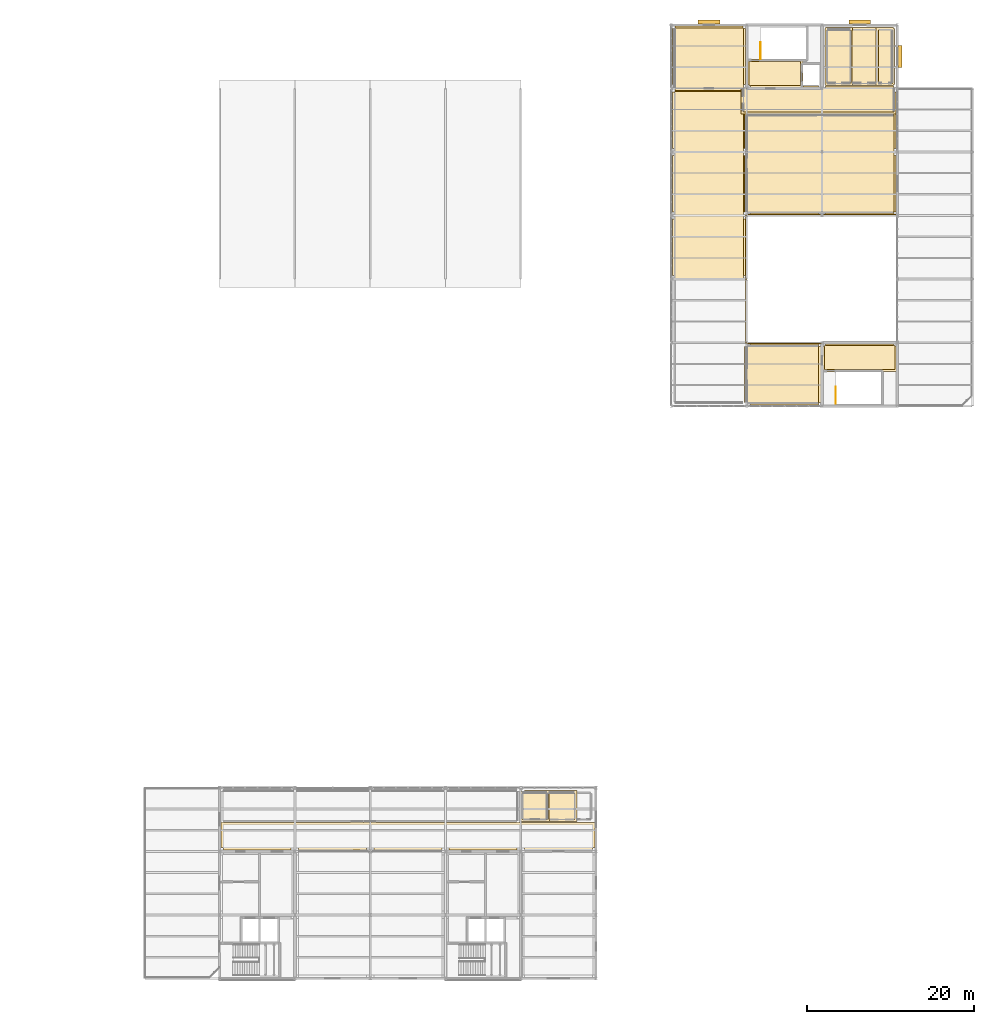
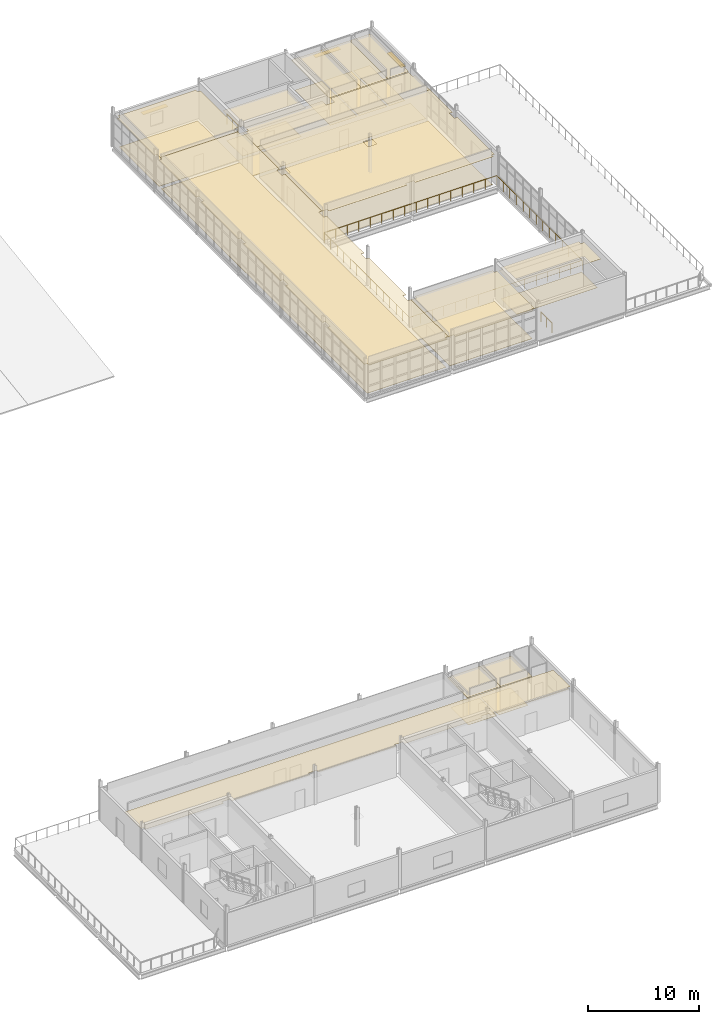
# One storey, part 47 of 48: 25 coverings, 3 railings, 3 shading devices.
"""IFC4 building model written with IfcOpenShell, lengths in metres."""

from ifc_helpers import new_model, si_unit, direction, frame, origin, origin_2d, place, context, subcontext, project, spatial, polyline, rectangle, circle, outline, extrude, material, layer, layer_set, type_object, element, save


model = new_model("IFC4")

# Units and contexts
model_context = context("Model", 3, precision=1e-05, world=origin(), true_north=direction((0.0, 1.0)))
body_context = subcontext(model_context, "Body", "Model", "MODEL_VIEW")
ifc_project = project(units=[si_unit("LENGTHUNIT", "METRE"), si_unit("AREAUNIT", "SQUARE_METRE"), si_unit("VOLUMEUNIT", "CUBIC_METRE"), si_unit("PLANEANGLEUNIT", "RADIAN"), si_unit("MASSUNIT", "GRAM", prefix="KILO")], contexts=[model_context])

# Site, building, storey
site_placement = place(None, origin())
site = spatial("IfcSite", under=ifc_project, at=site_placement, CompositionType="ELEMENT")
building_placement = place(site_placement, origin())
building = spatial("IfcBuilding", under=site, at=building_placement, Name="Caisbarro Railhouse Central Library", CompositionType="ELEMENT")
storey_placement = place(building_placement, frame((0.0, 0.0, 18.0)))
storey = spatial("IfcBuildingStorey", under=building, at=storey_placement, Name="L04", CompositionType="ELEMENT", Elevation=18.0)

# Coverings
ifc_material_1 = material(Name="Perforated mineral-fibre acoustic ceiling tile")
ifc_layer_1 = layer(ifc_material_1, 0.01806640625, Name="Perforated mineral-fibre acoustic ceiling tile")
ifc_layer_set_1 = layer_set([ifc_layer_1], Name="Perforated mineral-fibre acoustic ceiling tile")
covering_type_1 = type_object("IfcCoveringType", Name="COV-CL01", PredefinedType="CEILING", material=ifc_layer_set_1)
covering_1_placement = place(storey_placement, frame((0.0, 0.0, 3.25)))
element("IfcCovering", 1, at=covering_1_placement, inside=storey, type_object=covering_type_1, Name="CL01 acoustic ceiling Lift Lobby K3", PredefinedType="CEILING", context=body_context, shape_type="SweptSolid", body=[
    extrude(outline(polyline([(126.0400390625, 109.860107421875), (132.7099609375, 109.860107421875), (132.7099609375, 106.489990234375), (126.43994140625, 106.489990234375), (126.43994140625, 106.840087890625), (126.0400390625, 106.840087890625), (126.0400390625, 109.860107421875)])), origin(), (0.0, 0.0, 1.0), 0.01806640625),
])
covering_2_placement = place(storey_placement, frame((0.0, 0.0, 3.25)))
element("IfcCovering", 2, at=covering_2_placement, inside=storey, type_object=covering_type_1, Name="CL01 acoustic ceiling Stair Lobby K7", PredefinedType="CEILING", context=body_context, shape_type="SweptSolid", body=[
    extrude(outline(polyline([(135.43994140625, 75.56005859375), (135.43994140625, 75.909912109375), (143.56005859375, 75.909912109375), (143.56005859375, 75.56005859375), (143.9599609375, 75.56005859375), (143.9599609375, 72.5400390625), (135.0400390625, 72.5400390625), (135.0400390625, 75.56005859375), (135.43994140625, 75.56005859375)])), origin(), (0.0, 0.0, 1.0), 0.01806640625),
])
covering_3_placement = place(storey_placement, frame((0.0, 0.0, 3.25)))
element("IfcCovering", 3, at=covering_3_placement, inside=storey, type_object=covering_type_1, Name="CL01 acoustic ceiling Compact Archive Corridor L04", PredefinedType="CEILING", context=body_context, shape_type="SweptSolid", body=[
    extrude(outline(polyline([(89.56005859375, 15.639892578125), (89.56005859375, 15.340087890625), (81.43994140625, 15.340087890625), (81.43994140625, 15.639892578125), (80.56005859375, 15.639892578125), (80.56005859375, 15.340087890625), (72.43994140625, 15.340087890625), (72.43994140625, 15.639892578125), (71.56005859375, 15.639892578125), (71.56005859375, 15.340087890625), (63.43994140625, 15.340087890625), (63.43994140625, 15.639892578125), (63.139892578125, 15.639892578125), (63.139892578125, 18.659912109375), (107.860107421875, 18.659912109375), (107.860107421875, 15.639892578125), (107.56005859375, 15.639892578125), (107.56005859375, 15.340087890625), (99.43994140625, 15.340087890625), (99.43994140625, 15.639892578125), (98.56005859375, 15.639892578125), (98.56005859375, 15.340087890625), (90.43994140625, 15.340087890625), (90.43994140625, 15.639892578125), (89.56005859375, 15.639892578125)])), origin(), (0.0, 0.0, 1.0), 0.01806640625),
])
covering_4_placement = place(storey_placement, frame((0.0, 0.0, 3.25)))
element("IfcCovering", 4, at=covering_4_placement, inside=storey, type_object=covering_type_1, Name="CL01 acoustic ceiling Male WC L04-V5", PredefinedType="CEILING", context=body_context, shape_type="SweptSolid", body=[
    extrude(outline(polyline([(98.93994140625, 22.360107421875), (99.43994140625, 22.360107421875), (99.43994140625, 22.4599609375), (102.427978515625, 22.4599609375), (102.427978515625, 18.739990234375), (98.93994140625, 18.739990234375), (98.93994140625, 22.360107421875)])), origin(), (0.0, 0.0, 1.0), 0.01806640625),
])
covering_5_placement = place(storey_placement, frame((0.0, 0.0, 3.25)))
element("IfcCovering", 5, at=covering_5_placement, inside=storey, type_object=covering_type_1, Name="CL01 acoustic ceiling Female WC L04-V5", PredefinedType="CEILING", context=body_context, shape_type="SweptSolid", body=[
    extrude(outline(polyline([(102.10791015625, 18.739990234375), (102.10791015625, 22.4599609375), (105.696044921875, 22.4599609375), (105.696044921875, 18.739990234375), (102.10791015625, 18.739990234375)])), origin(), (0.0, 0.0, 1.0), 0.01806640625),
])
covering_6_placement = place(storey_placement, frame((0.0, 0.0, 3.25)))
element("IfcCovering", 6, at=covering_6_placement, inside=storey, type_object=covering_type_1, Name="CL01 acoustic ceiling Northeast Brazil Map and Prints Room", PredefinedType="CEILING", context=body_context, shape_type="SweptSolid", body=[
    extrude(outline(polyline([(134.56005859375, 91.639892578125), (134.56005859375, 91.340087890625), (126.43994140625, 91.340087890625), (126.43994140625, 91.639892578125), (125.739990234375, 91.639892578125), (125.739990234375, 98.360107421875), (126.43994140625, 98.360107421875), (126.43994140625, 99.239990234375), (125.739990234375, 99.239990234375), (125.739990234375, 103.4599609375), (143.860107421875, 103.4599609375), (143.860107421875, 99.239990234375), (143.56005859375, 99.239990234375), (143.56005859375, 98.360107421875), (143.860107421875, 98.360107421875), (143.860107421875, 91.639892578125), (143.56005859375, 91.639892578125), (143.56005859375, 91.340087890625), (135.43994140625, 91.340087890625), (135.43994140625, 91.639892578125), (134.56005859375, 91.639892578125)]), holes=[polyline([(134.56005859375, 98.360107421875), (135.43994140625, 98.360107421875), (135.43994140625, 99.239990234375), (134.56005859375, 99.239990234375), (134.56005859375, 98.360107421875)])]), origin(), (0.0, 0.0, 1.0), 0.01806640625),
])
covering_7_placement = place(storey_placement, frame((0.0, 0.0, 3.25)))
element("IfcCovering", 7, at=covering_7_placement, inside=storey, type_object=covering_type_1, Name="CL01 acoustic ceiling Atrium South Corridor L04", PredefinedType="CEILING", context=body_context, shape_type="SweptSolid", body=[
    extrude(outline(polyline([(134.56005859375, 68.840087890625), (134.56005859375, 68.5400390625), (126.43994140625, 68.5400390625), (126.43994140625, 68.840087890625), (125.739990234375, 68.840087890625), (125.739990234375, 75.56005859375), (126.43994140625, 75.56005859375), (126.43994140625, 75.860107421875), (134.56005859375, 75.860107421875), (134.56005859375, 75.56005859375), (134.860107421875, 75.56005859375), (134.860107421875, 68.840087890625), (134.56005859375, 68.840087890625)])), origin(), (0.0, 0.0, 1.0), 0.01806640625),
])
covering_8_placement = place(storey_placement, frame((0.0, 0.0, 3.25)))
element("IfcCovering", 8, at=covering_8_placement, inside=storey, type_object=covering_type_1, Name="CL01 acoustic ceiling Library Administration Office", PredefinedType="CEILING", context=body_context, shape_type="SweptSolid", body=[
    extrude(outline(polyline([(125.56005859375, 106.840087890625), (125.56005859375, 106.139892578125), (117.43994140625, 106.139892578125), (117.43994140625, 106.840087890625), (117.139892578125, 106.840087890625), (117.139892578125, 113.56005859375), (117.43994140625, 113.56005859375), (117.43994140625, 113.860107421875), (125.56005859375, 113.860107421875), (125.56005859375, 113.56005859375), (125.860107421875, 113.56005859375), (125.860107421875, 106.840087890625), (125.56005859375, 106.840087890625)])), origin(), (0.0, 0.0, 1.0), 0.01806640625),
])
covering_9_placement = place(storey_placement, frame((0.0, 0.0, 3.25)))
element("IfcCovering", 9, at=covering_9_placement, inside=storey, type_object=covering_type_1, Name="CL01 acoustic ceiling Atrium North WC Corridor L04", PredefinedType="CEILING", context=body_context, shape_type="SweptSolid", body=[
    extrude(outline(polyline([(125.56005859375, 105.9599609375), (126.43994140625, 105.9599609375), (126.43994140625, 106.659912109375), (134.56005859375, 106.659912109375), (134.56005859375, 105.9599609375), (135.43994140625, 105.9599609375), (135.43994140625, 106.659912109375), (143.56005859375, 106.659912109375), (143.56005859375, 105.9599609375), (143.860107421875, 105.9599609375), (143.860107421875, 103.340087890625), (125.340087890625, 103.340087890625), (125.340087890625, 106.659912109375), (125.56005859375, 106.659912109375), (125.56005859375, 105.9599609375)])), origin(), (0.0, 0.0, 1.0), 0.01806640625),
])
covering_10_placement = place(storey_placement, frame((0.0, 0.0, 3.25)))
element("IfcCovering", 10, at=covering_10_placement, inside=storey, type_object=covering_type_1, Name="CL01 acoustic ceiling Male WC L04-V4", PredefinedType="CEILING", context=body_context, shape_type="SweptSolid", body=[
    extrude(outline(polyline([(138.676025390625, 113.659912109375), (138.676025390625, 106.739990234375), (135.43994140625, 106.739990234375), (135.43994140625, 106.840087890625), (135.340087890625, 106.840087890625), (135.340087890625, 113.56005859375), (135.43994140625, 113.56005859375), (135.43994140625, 113.659912109375), (138.676025390625, 113.659912109375)])), origin(), (0.0, 0.0, 1.0), 0.01806640625),
])
covering_11_placement = place(storey_placement, frame((0.0, 0.0, 3.25)))
element("IfcCovering", 11, at=covering_11_placement, inside=storey, type_object=covering_type_1, Name="CL01 acoustic ceiling Female WC L04-V4", PredefinedType="CEILING", context=body_context, shape_type="SweptSolid", body=[
    extrude(outline(polyline([(138.35595703125, 106.739990234375), (138.35595703125, 113.659912109375), (141.7919921875, 113.659912109375), (141.7919921875, 106.739990234375), (138.35595703125, 106.739990234375)])), origin(), (0.0, 0.0, 1.0), 0.01806640625),
])
covering_12_placement = place(storey_placement, frame((0.0, 0.0, 3.25)))
element("IfcCovering", 12, at=covering_12_placement, inside=storey, type_object=covering_type_1, Name="CL01 acoustic ceiling Accessible WC L04-V4", PredefinedType="CEILING", context=body_context, shape_type="SweptSolid", body=[
    extrude(outline(polyline([(143.56005859375, 113.659912109375), (143.56005859375, 113.56005859375), (143.659912109375, 113.56005859375), (143.659912109375, 106.840087890625), (143.56005859375, 106.840087890625), (143.56005859375, 106.739990234375), (141.471923828125, 106.739990234375), (141.471923828125, 113.659912109375), (143.56005859375, 113.659912109375)])), origin(), (0.0, 0.0, 1.0), 0.01806640625),
])
ifc_material_2 = material(Name="Slatted acoustic timber baffle ceiling", Category="wood")
ifc_layer_2 = layer(ifc_material_2, 0.031982421875, Name="Slatted acoustic timber baffle ceiling")
ifc_layer_set_2 = layer_set([ifc_layer_2], Name="Slatted acoustic timber baffle ceiling")
covering_type_2 = type_object("IfcCoveringType", Name="COV-CL02", PredefinedType="CEILING", material=ifc_layer_set_2)
covering_13_placement = place(storey_placement, frame((0.0, 0.0, 3.25)))
element("IfcCovering", 13, at=covering_13_placement, inside=storey, type_object=covering_type_2, Name="CL02 acoustic ceiling Top-Lit Atrium Reading Gallery", PredefinedType="CEILING", context=body_context, shape_type="SweptSolid", body=[
    extrude(outline(polyline([(117.43994140625, 83.159912109375), (117.43994140625, 84.0400390625), (117.139892578125, 84.0400390625), (117.139892578125, 90.760009765625), (117.43994140625, 90.760009765625), (117.43994140625, 91.639892578125), (117.139892578125, 91.639892578125), (117.139892578125, 98.360107421875), (117.43994140625, 98.360107421875), (117.43994140625, 99.239990234375), (117.139892578125, 99.239990234375), (117.139892578125, 105.9599609375), (117.43994140625, 105.9599609375), (117.43994140625, 106.260009765625), (125.56005859375, 106.260009765625), (125.56005859375, 105.9599609375), (125.860107421875, 105.9599609375), (125.860107421875, 99.239990234375), (125.56005859375, 99.239990234375), (125.56005859375, 98.360107421875), (125.860107421875, 98.360107421875), (125.860107421875, 91.639892578125), (125.56005859375, 91.639892578125), (125.56005859375, 90.760009765625), (125.860107421875, 90.760009765625), (125.860107421875, 84.0400390625), (125.56005859375, 84.0400390625), (125.56005859375, 83.159912109375), (125.860107421875, 83.159912109375), (125.860107421875, 76.43994140625), (125.56005859375, 76.43994140625), (125.56005859375, 75.56005859375), (125.860107421875, 75.56005859375), (125.860107421875, 68.840087890625), (125.56005859375, 68.840087890625), (125.56005859375, 68.5400390625), (117.43994140625, 68.5400390625), (117.43994140625, 68.840087890625), (117.139892578125, 68.840087890625), (117.139892578125, 75.56005859375), (117.43994140625, 75.56005859375), (117.43994140625, 76.43994140625), (117.139892578125, 76.43994140625), (117.139892578125, 83.159912109375), (117.43994140625, 83.159912109375)])), origin(), (0.0, 0.0, 1.0), 0.031982421875),
])
ifc_material_3 = material(Name="Polished cementitious terrazzo flooring")
ifc_layer_3 = layer(ifc_material_3, 0.02197265625, Name="Polished cementitious terrazzo flooring")
ifc_layer_set_3 = layer_set([ifc_layer_3], Name="Polished cementitious terrazzo flooring")
covering_type_3 = type_object("IfcCoveringType", Name="COV-FL01", PredefinedType="FLOORING", material=ifc_layer_set_3)
covering_14_placement = place(storey_placement, origin())
element("IfcCovering", 14, at=covering_14_placement, inside=storey, type_object=covering_type_3, Name="FL01 flooring Lift Lobby K3", PredefinedType="FLOORING", context=body_context, shape_type="SweptSolid", body=[
    extrude(outline(polyline([(126.300048828125, 106.75), (132.449951171875, 106.75), (132.449951171875, 109.60009765625), (126.300048828125, 109.60009765625), (126.300048828125, 106.75)])), origin(), (0.0, 0.0, 1.0), 0.02197265625),
])
covering_15_placement = place(storey_placement, origin())
element("IfcCovering", 15, at=covering_15_placement, inside=storey, type_object=covering_type_3, Name="FL01 flooring Stair Lobby K7", PredefinedType="FLOORING", context=body_context, shape_type="SweptSolid", body=[
    extrude(outline(polyline([(135.300048828125, 72.800048828125), (143.699951171875, 72.800048828125), (143.699951171875, 75.64990234375), (135.300048828125, 75.64990234375), (135.300048828125, 72.800048828125)])), origin(), (0.0, 0.0, 1.0), 0.02197265625),
])
covering_16_placement = place(storey_placement, origin())
element("IfcCovering", 16, at=covering_16_placement, inside=storey, type_object=covering_type_3, Name="FL01 flooring Atrium South Corridor L04", PredefinedType="FLOORING", context=body_context, shape_type="SweptSolid", body=[
    extrude(outline(polyline([(126.0, 68.800048828125), (134.60009765625, 68.800048828125), (134.60009765625, 75.60009765625), (126.0, 75.60009765625), (126.0, 68.800048828125)])), origin(), (0.0, 0.0, 1.0), 0.02197265625),
])
covering_17_placement = place(storey_placement, origin())
element("IfcCovering", 17, at=covering_17_placement, inside=storey, type_object=covering_type_3, Name="FL01 flooring Atrium North WC Corridor L04", PredefinedType="FLOORING", context=body_context, shape_type="SweptSolid", body=[
    extrude(outline(polyline([(125.60009765625, 103.60009765625), (143.60009765625, 103.60009765625), (143.60009765625, 106.39990234375), (125.60009765625, 106.39990234375), (125.60009765625, 103.60009765625)])), origin(), (0.0, 0.0, 1.0), 0.02197265625),
])
ifc_material_4 = material(Name="Heavy-duty acoustic linoleum flooring")
ifc_layer_4 = layer(ifc_material_4, 0.011962890625, Name="Heavy-duty acoustic linoleum flooring")
ifc_layer_set_4 = layer_set([ifc_layer_4], Name="Heavy-duty acoustic linoleum flooring")
covering_type_4 = type_object("IfcCoveringType", Name="COV-FL02", PredefinedType="FLOORING", material=ifc_layer_set_4)
covering_18_placement = place(storey_placement, origin())
element("IfcCovering", 18, at=covering_18_placement, inside=storey, type_object=covering_type_4, Name="FL02 flooring Male WC L04-V5", PredefinedType="FLOORING", context=body_context, shape_type="SweptSolid", body=[
    extrude(outline(polyline([(99.199951171875, 19.0), (102.16796875, 19.0), (102.16796875, 22.199951171875), (99.199951171875, 22.199951171875), (99.199951171875, 19.0)])), origin(), (0.0, 0.0, 1.0), 0.011962890625),
])
covering_19_placement = place(storey_placement, origin())
element("IfcCovering", 19, at=covering_19_placement, inside=storey, type_object=covering_type_4, Name="FL02 flooring Female WC L04-V5", PredefinedType="FLOORING", context=body_context, shape_type="SweptSolid", body=[
    extrude(outline(polyline([(102.367919921875, 19.0), (105.43603515625, 19.0), (105.43603515625, 22.199951171875), (102.367919921875, 22.199951171875), (102.367919921875, 19.0)])), origin(), (0.0, 0.0, 1.0), 0.011962890625),
])
covering_20_placement = place(storey_placement, origin())
element("IfcCovering", 20, at=covering_20_placement, inside=storey, type_object=covering_type_4, Name="FL02 flooring Top-Lit Atrium Reading Gallery", PredefinedType="FLOORING", context=body_context, shape_type="SweptSolid", body=[
    extrude(outline(polyline([(117.39990234375, 68.800048828125), (125.60009765625, 68.800048828125), (125.60009765625, 106.0), (117.39990234375, 106.0), (117.39990234375, 68.800048828125)])), origin(), (0.0, 0.0, 1.0), 0.011962890625),
])
covering_21_placement = place(storey_placement, origin())
element("IfcCovering", 21, at=covering_21_placement, inside=storey, type_object=covering_type_4, Name="FL02 flooring Northeast Brazil Map and Prints Room", PredefinedType="FLOORING", context=body_context, shape_type="SweptSolid", body=[
    extrude(outline(polyline([(126.0, 91.60009765625), (143.60009765625, 91.60009765625), (143.60009765625, 103.199951171875), (126.0, 103.199951171875), (126.0, 91.60009765625)])), origin(), (0.0, 0.0, 1.0), 0.011962890625),
])
covering_22_placement = place(storey_placement, origin())
element("IfcCovering", 22, at=covering_22_placement, inside=storey, type_object=covering_type_4, Name="FL02 flooring Library Administration Office", PredefinedType="FLOORING", context=body_context, shape_type="SweptSolid", body=[
    extrude(outline(polyline([(117.39990234375, 106.39990234375), (125.60009765625, 106.39990234375), (125.60009765625, 113.60009765625), (117.39990234375, 113.60009765625), (117.39990234375, 106.39990234375)])), origin(), (0.0, 0.0, 1.0), 0.011962890625),
])
covering_23_placement = place(storey_placement, origin())
element("IfcCovering", 23, at=covering_23_placement, inside=storey, type_object=covering_type_4, Name="FL02 flooring Male WC L04-V4", PredefinedType="FLOORING", context=body_context, shape_type="SweptSolid", body=[
    extrude(outline(polyline([(135.60009765625, 107.0), (138.416015625, 107.0), (138.416015625, 113.39990234375), (135.60009765625, 113.39990234375), (135.60009765625, 107.0)])), origin(), (0.0, 0.0, 1.0), 0.011962890625),
])
covering_24_placement = place(storey_placement, origin())
element("IfcCovering", 24, at=covering_24_placement, inside=storey, type_object=covering_type_4, Name="FL02 flooring Female WC L04-V4", PredefinedType="FLOORING", context=body_context, shape_type="SweptSolid", body=[
    extrude(outline(polyline([(138.615966796875, 107.0), (141.531982421875, 107.0), (141.531982421875, 113.39990234375), (138.615966796875, 113.39990234375), (138.615966796875, 107.0)])), origin(), (0.0, 0.0, 1.0), 0.011962890625),
])
covering_25_placement = place(storey_placement, origin())
element("IfcCovering", 25, at=covering_25_placement, inside=storey, type_object=covering_type_4, Name="FL02 flooring Accessible WC L04-V4", PredefinedType="FLOORING", context=body_context, shape_type="SweptSolid", body=[
    extrude(outline(polyline([(141.73193359375, 107.0), (143.39990234375, 107.0), (143.39990234375, 113.39990234375), (141.73193359375, 113.39990234375), (141.73193359375, 107.0)])), origin(), (0.0, 0.0, 1.0), 0.011962890625),
])

# Railings
ifc_material_5 = material(Name="Laminated safety glass balustrade with stainless top rail", Category="glass")
railing_type_1 = type_object("IfcRailingType", Name="RLG-ATR112", PredefinedType="GUARDRAIL", material=ifc_material_5)
railing_1_placement = place(storey_placement, frame((125.89990234375, 75.89990234375, 0.0)))
element("IfcRailing", 26, at=railing_1_placement, inside=storey, type_object=railing_type_1, Name="RG02 Interior Void Balustrade L04-04", PredefinedType="GUARDRAIL", context=body_context, shape_type="SweptSolid", body=[
    extrude(circle(Radius=0.02392578125, at=origin_2d()), frame((0.0, 0.0, 1.09619140625), z_axis=(1.0, 0.0, 0.0), x_axis=(0.0, 1.0, 0.0)), (0.0, 0.0, 1.0), 18.0),
    extrude(circle(Radius=0.02392578125, at=origin_2d()), frame((18.0, 0.0, 1.09619140625), z_axis=(0.0, 1.0, 0.0), x_axis=(-1.0, 0.0, 0.0)), (0.0, 0.0, 1.0), 15.400146484375),
    extrude(circle(Radius=0.02392578125, at=origin_2d()), frame((18.0, 15.400146484375, 1.09619140625), z_axis=(-1.0, 0.0, 0.0), x_axis=(0.0, -1.0, 0.0)), (0.0, 0.0, 1.0), 18.0),
    extrude(circle(Radius=0.02392578125, at=origin_2d()), frame((0.0, 15.400146484375, 1.09619140625), z_axis=(0.0, -1.0, 0.0), x_axis=(1.0, 0.0, 0.0)), (0.0, 0.0, 1.0), 15.400146484375),
    extrude(circle(Radius=0.02099609375, at=origin_2d()), origin(), (0.0, 0.0, 1.0), 1.072021484375),
    extrude(circle(Radius=0.02099609375, at=origin_2d()), frame((1.199951171875, 0.0, 0.0)), (0.0, 0.0, 1.0), 1.072021484375),
    extrude(circle(Radius=0.02099609375, at=origin_2d()), frame((2.39990234375, 0.0, 0.0)), (0.0, 0.0, 1.0), 1.072021484375),
    extrude(circle(Radius=0.02099609375, at=origin_2d()), frame((3.60009765625, 0.0, 0.0)), (0.0, 0.0, 1.0), 1.072021484375),
    extrude(circle(Radius=0.02099609375, at=origin_2d()), frame((4.800048828125, 0.0, 0.0)), (0.0, 0.0, 1.0), 1.072021484375),
    extrude(circle(Radius=0.02099609375, at=origin_2d()), frame((6.0, 0.0, 0.0)), (0.0, 0.0, 1.0), 1.072021484375),
    extrude(circle(Radius=0.02099609375, at=origin_2d()), frame((7.199951171875, 0.0, 0.0)), (0.0, 0.0, 1.0), 1.072021484375),
    extrude(circle(Radius=0.02099609375, at=origin_2d()), frame((8.39990234375, 0.0, 0.0)), (0.0, 0.0, 1.0), 1.072021484375),
    extrude(circle(Radius=0.02099609375, at=origin_2d()), frame((9.60009765625, 0.0, 0.0)), (0.0, 0.0, 1.0), 1.072021484375),
    extrude(circle(Radius=0.02099609375, at=origin_2d()), frame((10.800048828125, 0.0, 0.0)), (0.0, 0.0, 1.0), 1.072021484375),
    extrude(circle(Radius=0.02099609375, at=origin_2d()), frame((12.0, 0.0, 0.0)), (0.0, 0.0, 1.0), 1.072021484375),
    extrude(circle(Radius=0.02099609375, at=origin_2d()), frame((13.199951171875, 0.0, 0.0)), (0.0, 0.0, 1.0), 1.072021484375),
    extrude(circle(Radius=0.02099609375, at=origin_2d()), frame((14.39990234375, 0.0, 0.0)), (0.0, 0.0, 1.0), 1.072021484375),
    extrude(circle(Radius=0.02099609375, at=origin_2d()), frame((15.60009765625, 0.0, 0.0)), (0.0, 0.0, 1.0), 1.072021484375),
    extrude(circle(Radius=0.02099609375, at=origin_2d()), frame((16.800048828125, 0.0, 0.0)), (0.0, 0.0, 1.0), 1.072021484375),
    extrude(circle(Radius=0.02099609375, at=origin_2d()), frame((18.0, 0.0, 0.0)), (0.0, 0.0, 1.0), 1.072021484375),
    extrude(circle(Radius=0.02099609375, at=origin_2d()), frame((18.0, 1.1845703125, 0.0)), (0.0, 0.0, 1.0), 1.072021484375),
    extrude(circle(Radius=0.02099609375, at=origin_2d()), frame((18.0, 2.369140625, 0.0)), (0.0, 0.0, 1.0), 1.072021484375),
    extrude(circle(Radius=0.02099609375, at=origin_2d()), frame((18.0, 3.553955078125, 0.0)), (0.0, 0.0, 1.0), 1.072021484375),
    extrude(circle(Radius=0.02099609375, at=origin_2d()), frame((18.0, 4.738525390625, 0.0)), (0.0, 0.0, 1.0), 1.072021484375),
    extrude(circle(Radius=0.02099609375, at=origin_2d()), frame((18.0, 5.923095703125, 0.0)), (0.0, 0.0, 1.0), 1.072021484375),
    extrude(circle(Radius=0.02099609375, at=origin_2d()), frame((18.0, 7.107666015625, 0.0)), (0.0, 0.0, 1.0), 1.072021484375),
    extrude(circle(Radius=0.02099609375, at=origin_2d()), frame((18.0, 8.29248046875, 0.0)), (0.0, 0.0, 1.0), 1.072021484375),
    extrude(circle(Radius=0.02099609375, at=origin_2d()), frame((18.0, 9.47705078125, 0.0)), (0.0, 0.0, 1.0), 1.072021484375),
    extrude(circle(Radius=0.02099609375, at=origin_2d()), frame((18.0, 10.66162109375, 0.0)), (0.0, 0.0, 1.0), 1.072021484375),
    extrude(circle(Radius=0.02099609375, at=origin_2d()), frame((18.0, 11.84619140625, 0.0)), (0.0, 0.0, 1.0), 1.072021484375),
    extrude(circle(Radius=0.02099609375, at=origin_2d()), frame((18.0, 13.031005859375, 0.0)), (0.0, 0.0, 1.0), 1.072021484375),
    extrude(circle(Radius=0.02099609375, at=origin_2d()), frame((18.0, 14.215576171875, 0.0)), (0.0, 0.0, 1.0), 1.072021484375),
    extrude(circle(Radius=0.02099609375, at=origin_2d()), frame((18.0, 15.400146484375, 0.0)), (0.0, 0.0, 1.0), 1.072021484375),
    extrude(circle(Radius=0.02099609375, at=origin_2d()), frame((16.800048828125, 15.400146484375, 0.0)), (0.0, 0.0, 1.0), 1.072021484375),
    extrude(circle(Radius=0.02099609375, at=origin_2d()), frame((15.60009765625, 15.400146484375, 0.0)), (0.0, 0.0, 1.0), 1.072021484375),
    extrude(circle(Radius=0.02099609375, at=origin_2d()), frame((14.39990234375, 15.400146484375, 0.0)), (0.0, 0.0, 1.0), 1.072021484375),
    extrude(circle(Radius=0.02099609375, at=origin_2d()), frame((13.199951171875, 15.400146484375, 0.0)), (0.0, 0.0, 1.0), 1.072021484375),
    extrude(circle(Radius=0.02099609375, at=origin_2d()), frame((12.0, 15.400146484375, 0.0)), (0.0, 0.0, 1.0), 1.072021484375),
    extrude(circle(Radius=0.02099609375, at=origin_2d()), frame((10.800048828125, 15.400146484375, 0.0)), (0.0, 0.0, 1.0), 1.072021484375),
    extrude(circle(Radius=0.02099609375, at=origin_2d()), frame((9.60009765625, 15.400146484375, 0.0)), (0.0, 0.0, 1.0), 1.072021484375),
    extrude(circle(Radius=0.02099609375, at=origin_2d()), frame((8.39990234375, 15.400146484375, 0.0)), (0.0, 0.0, 1.0), 1.072021484375),
    extrude(circle(Radius=0.02099609375, at=origin_2d()), frame((7.199951171875, 15.400146484375, 0.0)), (0.0, 0.0, 1.0), 1.072021484375),
    extrude(circle(Radius=0.02099609375, at=origin_2d()), frame((6.0, 15.400146484375, 0.0)), (0.0, 0.0, 1.0), 1.072021484375),
    extrude(circle(Radius=0.02099609375, at=origin_2d()), frame((4.800048828125, 15.400146484375, 0.0)), (0.0, 0.0, 1.0), 1.072021484375),
    extrude(circle(Radius=0.02099609375, at=origin_2d()), frame((3.60009765625, 15.400146484375, 0.0)), (0.0, 0.0, 1.0), 1.072021484375),
    extrude(circle(Radius=0.02099609375, at=origin_2d()), frame((2.39990234375, 15.400146484375, 0.0)), (0.0, 0.0, 1.0), 1.072021484375),
    extrude(circle(Radius=0.02099609375, at=origin_2d()), frame((1.199951171875, 15.400146484375, 0.0)), (0.0, 0.0, 1.0), 1.072021484375),
    extrude(circle(Radius=0.02099609375, at=origin_2d()), frame((0.0, 15.400146484375, 0.0)), (0.0, 0.0, 1.0), 1.072021484375),
    extrude(circle(Radius=0.02099609375, at=origin_2d()), frame((0.0, 14.215576171875, 0.0)), (0.0, 0.0, 1.0), 1.072021484375),
    extrude(circle(Radius=0.02099609375, at=origin_2d()), frame((0.0, 13.031005859375, 0.0)), (0.0, 0.0, 1.0), 1.072021484375),
    extrude(circle(Radius=0.02099609375, at=origin_2d()), frame((0.0, 11.84619140625, 0.0)), (0.0, 0.0, 1.0), 1.072021484375),
    extrude(circle(Radius=0.02099609375, at=origin_2d()), frame((0.0, 10.66162109375, 0.0)), (0.0, 0.0, 1.0), 1.072021484375),
    extrude(circle(Radius=0.02099609375, at=origin_2d()), frame((0.0, 9.47705078125, 0.0)), (0.0, 0.0, 1.0), 1.072021484375),
    extrude(circle(Radius=0.02099609375, at=origin_2d()), frame((0.0, 8.29248046875, 0.0)), (0.0, 0.0, 1.0), 1.072021484375),
    extrude(circle(Radius=0.02099609375, at=origin_2d()), frame((0.0, 7.107666015625, 0.0)), (0.0, 0.0, 1.0), 1.072021484375),
    extrude(circle(Radius=0.02099609375, at=origin_2d()), frame((0.0, 5.923095703125, 0.0)), (0.0, 0.0, 1.0), 1.072021484375),
    extrude(circle(Radius=0.02099609375, at=origin_2d()), frame((0.0, 4.738525390625, 0.0)), (0.0, 0.0, 1.0), 1.072021484375),
    extrude(circle(Radius=0.02099609375, at=origin_2d()), frame((0.0, 3.553955078125, 0.0)), (0.0, 0.0, 1.0), 1.072021484375),
    extrude(circle(Radius=0.02099609375, at=origin_2d()), frame((0.0, 2.369140625, 0.0)), (0.0, 0.0, 1.0), 1.072021484375),
    extrude(circle(Radius=0.02099609375, at=origin_2d()), frame((0.0, 1.1845703125, 0.0)), (0.0, 0.0, 1.0), 1.072021484375),
])
ifc_material_6 = material(Name="Brushed stainless steel Grade 316", Category="steel")
railing_type_2 = type_object("IfcRailingType", Name="RLG-STR110", PredefinedType="GUARDRAIL", material=ifc_material_6)
railing_2_placement = place(storey_placement, frame((127.64990234375, 109.89990234375, 0.0)))
element("IfcRailing", 27, at=railing_2_placement, inside=storey, type_object=railing_type_2, Name="Stair ST-03 Top Landing Guardrail L04", PredefinedType="GUARDRAIL", context=body_context, shape_type="SweptSolid", body=[
    extrude(circle(Radius=0.02392578125, at=origin_2d()), frame((0.0, 0.0, 1.076171875), z_axis=(0.0, 1.0, 0.0), x_axis=(-1.0, 0.0, 0.0)), (0.0, 0.0, 1.0), 1.97021484375),
    extrude(circle(Radius=0.02099609375, at=origin_2d()), origin(), (0.0, 0.0, 1.0), 1.052001953125),
    extrude(circle(Radius=0.02099609375, at=origin_2d()), frame((0.0, 0.985107421875, 0.0)), (0.0, 0.0, 1.0), 1.052001953125),
    extrude(circle(Radius=0.02099609375, at=origin_2d()), frame((0.0, 1.97021484375, 0.0)), (0.0, 0.0, 1.0), 1.052001953125),
])
railing_3_placement = place(storey_placement, frame((136.64990234375, 68.75, 0.0)))
element("IfcRailing", 28, at=railing_3_placement, inside=storey, type_object=railing_type_2, Name="Stair ST-07 Top Landing Guardrail L04", PredefinedType="GUARDRAIL", context=body_context, shape_type="SweptSolid", body=[
    extrude(circle(Radius=0.02392578125, at=origin_2d()), frame((0.0, 0.0, 1.076171875), z_axis=(0.0, 1.0, 0.0), x_axis=(-1.0, 0.0, 0.0)), (0.0, 0.0, 1.0), 1.969970703125),
    extrude(circle(Radius=0.02099609375, at=origin_2d()), origin(), (0.0, 0.0, 1.0), 1.052001953125),
    extrude(circle(Radius=0.02099609375, at=origin_2d()), frame((0.0, 0.98486328125, 0.0)), (0.0, 0.0, 1.0), 1.052001953125),
    extrude(circle(Radius=0.02099609375, at=origin_2d()), frame((0.0, 1.969970703125, 0.0)), (0.0, 0.0, 1.0), 1.052001953125),
])

# Shading devices
ifc_material_7 = material(Name="Anodised architectural aluminium", Category="aluminium")
ifc_layer_5 = layer(ifc_material_7, 0.050048828125, Name="Anodised architectural aluminium")
ifc_layer_set_5 = layer_set([ifc_layer_5], Name="Anodised architectural aluminium")
shading_device_type = type_object("IfcShadingDeviceType", Name="SHD-JAL01", PredefinedType="JALOUSIE", material=ifc_layer_set_5)
for number, where, z_axis, x_axis, name in (
    (29, (121.5, 114.330078125, 2.23486328125), (0.0, 0.0, 1.0), (1.0, 0.0, 0.0), "JL01 solar brise-soleil L04-40"),
    (30, (139.5, 114.330078125, 2.23486328125), (0.0, 0.0, 1.0), (1.0, 0.0, 0.0), "JL01 solar brise-soleil L04-41"),
    (31, (144.330078125, 110.199951171875, 2.23486328125), (0.0, 0.0, 1.0), (0.0, 1.0, 0.0), "JL01 solar brise-soleil L04-42"),
):
    element("IfcShadingDevice", number, at=place(storey_placement, frame(where, z_axis=z_axis, x_axis=x_axis)), inside=storey, type_object=shading_device_type, Name=name, PredefinedType="JALOUSIE", context=body_context, shape_type="SweptSolid", body=[
        extrude(rectangle(XDim=2.60009765625, YDim=0.47998046875, at=origin_2d()), origin(), (0.0, 0.0, 1.0), 0.050048828125),
    ])

save(model, "model.ifc")
